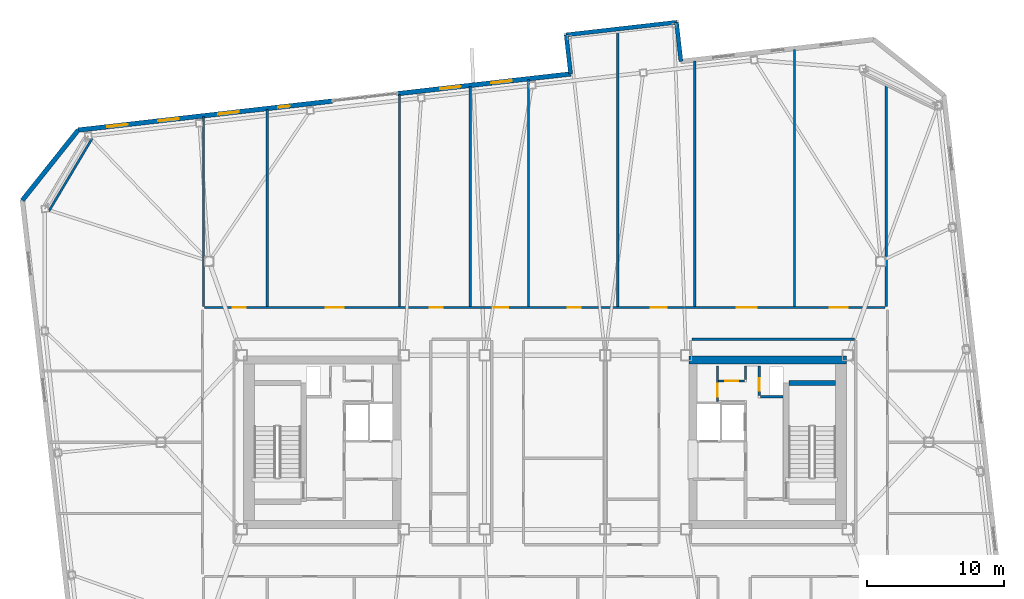
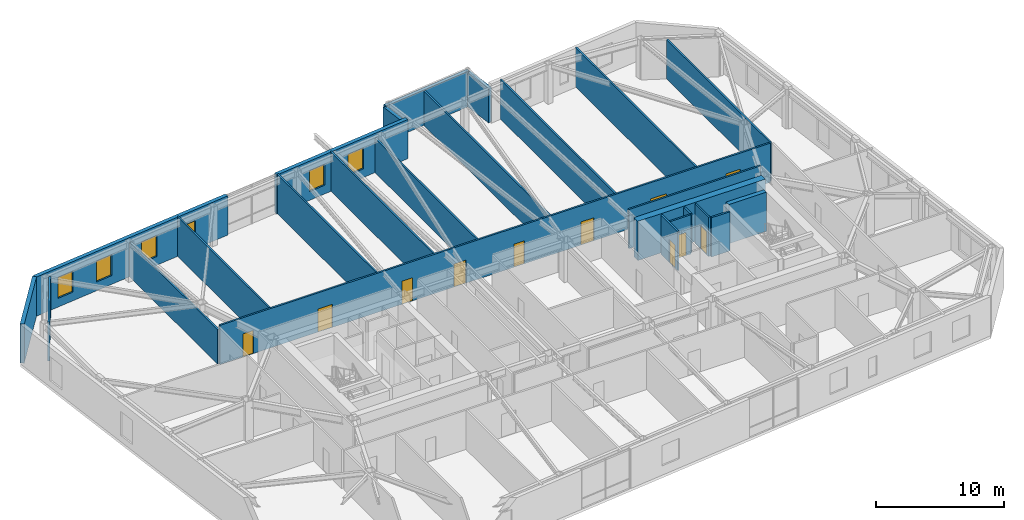
# One storey, part 17 of 21: 25 walls, 11 doors, 6 windows, 17 openings.
"""IFC4 building model written with IfcOpenShell, lengths in metres."""

from ifc_helpers import new_model, si_unit, direction, frame, frame_2d, origin, place, context, subcontext, project, spatial, rectangle, extrude, material, layer, layer_set, type_object, element, fill, save


model = new_model("IFC4")

# Units and contexts
model_context = context("Model", 3, precision=1e-05, world=origin(), true_north=direction((0.0, 1.0)))
body_context = subcontext(model_context, "Body", "Model", "MODEL_VIEW")
ifc_project = project(units=[si_unit("LENGTHUNIT", "METRE"), si_unit("AREAUNIT", "SQUARE_METRE"), si_unit("VOLUMEUNIT", "CUBIC_METRE"), si_unit("PLANEANGLEUNIT", "RADIAN"), si_unit("MASSUNIT", "GRAM", prefix="KILO")], contexts=[model_context])

# Site, building, storey
site_placement = place(None, origin())
site = spatial("IfcSite", under=ifc_project, at=site_placement, CompositionType="ELEMENT")
building_placement = place(site_placement, origin())
building = spatial("IfcBuilding", under=site, at=building_placement, Name="Tavrogorsk Clinical Tower", CompositionType="ELEMENT")
storey_placement = place(building_placement, frame((0.0, 0.0, 247.0)))
storey = spatial("IfcBuildingStorey", under=building, at=storey_placement, Name="L57", CompositionType="ELEMENT", Elevation=247.0)

# Wall, opening, door
ifc_material_1 = material(Name="Lightweight concrete blockwork B15", Category="masonry")
ifc_layer_1 = layer(ifc_material_1, 0.159912109375)
ifc_layer_set_1 = layer_set([ifc_layer_1], Name="Lightweight concrete blockwork B15")
wall_type_1 = type_object("IfcWallType", Name="PartitionWall_160", PredefinedType="PARTITIONING", material=ifc_layer_set_1)
wall_1_placement = place(storey_placement, frame((12.580078125, 2.9599609375, 0.0), z_axis=(0.0, 0.0, 1.0), x_axis=(0.0, 1.0, 0.0)))
wall_1 = element("IfcWall", 1, at=wall_1_placement, inside=storey, type_object=wall_type_1, Name="L57 Core East Linen Closet Wall", PredefinedType="PARTITIONING", context=body_context, shape_type="SweptSolid", body=[
    extrude(rectangle(XDim=2.60009765625, YDim=0.159912109375, at=frame_2d((1.300048828125, 0.0))), origin(), (0.0, 0.0, 1.0), 3.739990234375),
])
opening_1_placement = place(wall_1_placement, frame((0.35009765625, 0.0, 0.0)))
opening_1 = element("IfcOpeningElement", 2, at=opening_1_placement, cuts=wall_1, Name="Opening ID-02", PredefinedType="OPENING", context=body_context, shape_type="SweptSolid", body=[
    extrude(rectangle(XDim=0.949951171875, YDim=2.199951171875, at=frame_2d((0.47509765625, 1.10009765625))), frame((0.0, 0.08984375, 0.0), z_axis=(0.0, -1.0, 0.0), x_axis=(1.0, 0.0, 0.0)), (0.0, 0.0, 1.0), 0.179931640625),
])
ifc_material_2 = material(Name="Laminated timber leaf on aluminium frame", Category="wood")
door_type_1 = type_object("IfcDoorType", Name="InteriorDoor_ID02_950", OperationType="NOTDEFINED", PredefinedType="DOOR", material=ifc_material_2)
door_1_placement = place(opening_1_placement, origin())
door_1 = element("IfcDoor", 3, at=door_1_placement, inside=storey, type_object=door_type_1, Name="L57 Core East Linen Closet Door", OperationType="SINGLE_SWING_RIGHT", OverallHeight=2.199951171875, OverallWidth=0.949951171875, PredefinedType="DOOR", context=body_context, shape_type="SweptSolid", body=[
    extrude(rectangle(XDim=0.949951171875, YDim=2.199951171875, at=frame_2d((0.47509765625, 1.10009765625))), frame((0.0, 0.02490234375, 0.0), z_axis=(0.0, -1.0, 0.0), x_axis=(1.0, 0.0, 0.0)), (0.0, 0.0, 1.0), 0.050048828125),
])
fill(opening_1, door_1)

wall_2_placement = place(storey_placement, frame((12.6650390625, 4.47998046875, 0.0), z_axis=(0.0, 0.0, 1.0), x_axis=(1.0, 0.0, 0.0)))
wall_2 = element("IfcWall", 4, at=wall_2_placement, inside=storey, type_object=wall_type_1, Name="L57 Core East Housekeeping South Wall", PredefinedType="PARTITIONING", context=body_context, shape_type="SweptSolid", body=[
    extrude(rectangle(XDim=1.889892578125, YDim=0.159912109375, at=frame_2d((0.94482421875, 0.0))), origin(), (0.0, 0.0, 1.0), 3.739990234375),
])
opening_2_placement = place(wall_2_placement, frame((0.5, 0.0, 0.0)))
opening_2 = element("IfcOpeningElement", 5, at=opening_2_placement, cuts=wall_2, Name="Opening ID-02", PredefinedType="OPENING", context=body_context, shape_type="SweptSolid", body=[
    extrude(rectangle(XDim=0.949951171875, YDim=2.199951171875, at=frame_2d((0.47509765625, 1.10009765625))), frame((0.0, 0.08984375, 0.0), z_axis=(0.0, -1.0, 0.0), x_axis=(1.0, 0.0, 0.0)), (0.0, 0.0, 1.0), 0.179931640625),
])
door_2_placement = place(opening_2_placement, origin())
door_2 = element("IfcDoor", 6, at=door_2_placement, inside=storey, type_object=door_type_1, Name="L57 Core East Housekeeping Closet Door", OperationType="SINGLE_SWING_LEFT", OverallHeight=2.199951171875, OverallWidth=0.949951171875, PredefinedType="DOOR", context=body_context, shape_type="SweptSolid", body=[
    extrude(rectangle(XDim=0.949951171875, YDim=2.199951171875, at=frame_2d((0.47509765625, 1.10009765625))), frame((0.0, 0.02490234375, 0.0), z_axis=(0.0, -1.0, 0.0), x_axis=(1.0, 0.0, 0.0)), (0.0, 0.0, 1.0), 0.050048828125),
])
fill(opening_2, door_2)

# Walls
wall_3_placement = place(storey_placement, frame((14.639892578125, 4.56494140625, 0.0), z_axis=(0.0, 0.0, 1.0), x_axis=(0.0, 1.0, 0.0)))
element("IfcWall", 7, at=wall_3_placement, inside=storey, type_object=wall_type_1, Name="L57 Core East Housekeeping East Wall", PredefinedType="PARTITIONING", context=body_context, shape_type="SweptSolid", body=[
    extrude(rectangle(XDim=0.9951171875, YDim=0.159912109375, at=frame_2d((0.49755859375, 0.0))), origin(), (0.0, 0.0, 1.0), 3.739990234375),
])
wall_4_placement = place(storey_placement, frame((-33.016357421875, 22.17138671875, 0.0), z_axis=(0.0, 0.0, 1.0), x_axis=(-0.511385266265, -0.859351563359, 0.0)))
element("IfcWall", 8, at=wall_4_placement, inside=storey, type_object=wall_type_1, Name="L57 Corner Exoskeleton Brace Furring Wall 3", PredefinedType="PARTITIONING", context=body_context, shape_type="SweptSolid", body=[
    extrude(rectangle(XDim=6.181884765625, YDim=0.159912109375, at=frame_2d((3.0908203125, 0.0))), origin(), (0.0, 0.0, 1.0), 3.739990234375),
])

# Wall, openings, doors
wall_5_placement = place(storey_placement, frame((-24.81494140625, 9.830078125, 0.0), z_axis=(0.0, 0.0, 1.0), x_axis=(1.0, 0.0, 0.0)))
wall_5 = element("IfcWall", 9, at=wall_5_placement, inside=storey, type_object=wall_type_1, Name="L57 Corridor Partition 02", PredefinedType="PARTITIONING", context=body_context, shape_type="SweptSolid", body=[
    extrude(rectangle(XDim=49.6298828125, YDim=0.159912109375, at=frame_2d((24.81494140625, 0.0))), origin(), (0.0, 0.0, 1.0), 3.739990234375),
])
opening_3_placement = place(wall_5_placement, frame((2.044189453125, 0.0, 0.0)))
opening_3 = element("IfcOpeningElement", 10, at=opening_3_placement, cuts=wall_5, Name="Opening ID-02", PredefinedType="OPENING", context=body_context, shape_type="SweptSolid", body=[
    extrude(rectangle(XDim=0.949951171875, YDim=2.199951171875, at=frame_2d((0.47509765625, 1.10009765625))), frame((0.0, 0.08984375, 0.0), z_axis=(0.0, -1.0, 0.0), x_axis=(1.0, 0.0, 0.0)), (0.0, 0.0, 1.0), 0.179931640625),
])
opening_4_placement = place(wall_5_placement, frame((8.824951171875, 0.0, 0.0)))
opening_4 = element("IfcOpeningElement", 11, at=opening_4_placement, cuts=wall_5, Name="Opening ID-01", PredefinedType="OPENING", context=body_context, shape_type="SweptSolid", body=[
    extrude(rectangle(XDim=1.300048828125, YDim=2.199951171875, at=frame_2d((0.64990234375, 1.10009765625))), frame((0.0, 0.08984375, 0.0), z_axis=(0.0, -1.0, 0.0), x_axis=(1.0, 0.0, 0.0)), (0.0, 0.0, 1.0), 0.179931640625),
])
opening_5_placement = place(wall_5_placement, frame((16.39990234375, 0.0, 0.0)))
opening_5 = element("IfcOpeningElement", 12, at=opening_5_placement, cuts=wall_5, Name="Opening ID-02", PredefinedType="OPENING", context=body_context, shape_type="SweptSolid", body=[
    extrude(rectangle(XDim=0.949951171875, YDim=2.199951171875, at=frame_2d((0.47509765625, 1.10009765625))), frame((0.0, 0.08984375, 0.0), z_axis=(0.0, -1.0, 0.0), x_axis=(1.0, 0.0, 0.0)), (0.0, 0.0, 1.0), 0.179931640625),
])
opening_6_placement = place(wall_5_placement, frame((21.10009765625, 0.0, 0.0)))
opening_6 = element("IfcOpeningElement", 13, at=opening_6_placement, cuts=wall_5, Name="Opening ID-04", PredefinedType="OPENING", context=body_context, shape_type="SweptSolid", body=[
    extrude(rectangle(XDim=1.050048828125, YDim=2.199951171875, at=frame_2d((0.52490234375, 1.10009765625))), frame((0.0, 0.08984375, 0.0), z_axis=(0.0, -1.0, 0.0), x_axis=(1.0, 0.0, 0.0)), (0.0, 0.0, 1.0), 0.179931640625),
])
opening_7_placement = place(wall_5_placement, frame((26.482421875, 0.0, 0.0)))
opening_7 = element("IfcOpeningElement", 14, at=opening_7_placement, cuts=wall_5, Name="Opening ID-02", PredefinedType="OPENING", context=body_context, shape_type="SweptSolid", body=[
    extrude(rectangle(XDim=0.949951171875, YDim=2.199951171875, at=frame_2d((0.47509765625, 1.10009765625))), frame((0.0, 0.08984375, 0.0), z_axis=(0.0, -1.0, 0.0), x_axis=(1.0, 0.0, 0.0)), (0.0, 0.0, 1.0), 0.179931640625),
])
opening_8_placement = place(wall_5_placement, frame((32.547607421875, 0.0, 0.0)))
opening_8 = element("IfcOpeningElement", 15, at=opening_8_placement, cuts=wall_5, Name="Opening ID-06", PredefinedType="OPENING", context=body_context, shape_type="SweptSolid", body=[
    extrude(rectangle(XDim=1.14990234375, YDim=2.199951171875, at=frame_2d((0.574951171875, 1.10009765625))), frame((0.0, 0.08984375, 0.0), z_axis=(0.0, -1.0, 0.0), x_axis=(1.0, 0.0, 0.0)), (0.0, 0.0, 1.0), 0.179931640625),
])
opening_9_placement = place(wall_5_placement, frame((38.81494140625, 0.0, 0.0)))
opening_9 = element("IfcOpeningElement", 16, at=opening_9_placement, cuts=wall_5, Name="Opening ID-05", PredefinedType="OPENING", context=body_context, shape_type="SweptSolid", body=[
    extrude(rectangle(XDim=1.449951171875, YDim=2.199951171875, at=frame_2d((0.72509765625, 1.10009765625))), frame((0.0, 0.08984375, 0.0), z_axis=(0.0, -1.0, 0.0), x_axis=(1.0, 0.0, 0.0)), (0.0, 0.0, 1.0), 0.179931640625),
])
opening_10_placement = place(wall_5_placement, frame((45.60595703125, 0.0, 0.0)))
opening_10 = element("IfcOpeningElement", 17, at=opening_10_placement, cuts=wall_5, Name="Opening ID-01", PredefinedType="OPENING", context=body_context, shape_type="SweptSolid", body=[
    extrude(rectangle(XDim=1.300048828125, YDim=2.199951171875, at=frame_2d((0.64990234375, 1.10009765625))), frame((0.0, 0.08984375, 0.0), z_axis=(0.0, -1.0, 0.0), x_axis=(1.0, 0.0, 0.0)), (0.0, 0.0, 1.0), 0.179931640625),
])
ifc_material_3 = material(Name="Antibacterial HPL consultation door on aluminium frame", Category="aluminium")
door_type_2 = type_object("IfcDoorType", Name="ConsultDoor_ID04_1050", OperationType="NOTDEFINED", PredefinedType="DOOR", material=ifc_material_3)
door_3_placement = place(opening_6_placement, origin())
door_3 = element("IfcDoor", 18, at=door_3_placement, inside=storey, type_object=door_type_2, Name="L57 North Diagnostic Ultrasound Suite 03B Door", OperationType="SINGLE_SWING_RIGHT", OverallHeight=2.199951171875, OverallWidth=1.050048828125, PredefinedType="DOOR", context=body_context, shape_type="SweptSolid", body=[
    extrude(rectangle(XDim=1.050048828125, YDim=2.199951171875, at=frame_2d((0.52490234375, 1.10009765625))), frame((0.0, 0.02490234375, 0.0), z_axis=(0.0, -1.0, 0.0), x_axis=(1.0, 0.0, 0.0)), (0.0, 0.0, 1.0), 0.050048828125),
])
fill(opening_6, door_3)
ifc_material_4 = material(Name="Antibacterial HPL bariatric ward double door")
door_type_3 = type_object("IfcDoorType", Name="DoubleWardDoor_ID05_1450", OperationType="DOUBLE_SWING_LEFT", PredefinedType="DOOR", material=ifc_material_4)
door_4_placement = place(opening_9_placement, origin())
door_4 = element("IfcDoor", 19, at=door_4_placement, inside=storey, type_object=door_type_3, Name="L57 North Acute Isolation Suite 05 Door", OperationType="DOUBLE_SWING_LEFT", OverallHeight=2.199951171875, OverallWidth=1.449951171875, PredefinedType="DOOR", context=body_context, shape_type="SweptSolid", body=[
    extrude(rectangle(XDim=1.449951171875, YDim=2.199951171875, at=frame_2d((0.72509765625, 1.10009765625))), frame((0.0, 0.02490234375, 0.0), z_axis=(0.0, -1.0, 0.0), x_axis=(1.0, 0.0, 0.0)), (0.0, 0.0, 1.0), 0.050048828125),
])
fill(opening_9, door_4)
door_5_placement = place(opening_3_placement, origin())
door_5 = element("IfcDoor", 20, at=door_5_placement, inside=storey, type_object=door_type_1, Name="L57 North Physiotherapy Rehab Studio 01 Door", OperationType="SINGLE_SWING_LEFT", OverallHeight=2.199951171875, OverallWidth=0.949951171875, PredefinedType="DOOR", context=body_context, shape_type="SweptSolid", body=[
    extrude(rectangle(XDim=0.949951171875, YDim=2.199951171875, at=frame_2d((0.47509765625, 1.10009765625))), frame((0.0, 0.02490234375, 0.0), z_axis=(0.0, -1.0, 0.0), x_axis=(1.0, 0.0, 0.0)), (0.0, 0.0, 1.0), 0.050048828125),
])
fill(opening_3, door_5)
door_6_placement = place(opening_5_placement, origin())
door_6 = element("IfcDoor", 21, at=door_6_placement, inside=storey, type_object=door_type_1, Name="L57 North Physician Consultation Office 03A Door", OperationType="SINGLE_SWING_LEFT", OverallHeight=2.199951171875, OverallWidth=0.949951171875, PredefinedType="DOOR", context=body_context, shape_type="SweptSolid", body=[
    extrude(rectangle(XDim=0.949951171875, YDim=2.199951171875, at=frame_2d((0.47509765625, 1.10009765625))), frame((0.0, 0.02490234375, 0.0), z_axis=(0.0, -1.0, 0.0), x_axis=(1.0, 0.0, 0.0)), (0.0, 0.0, 1.0), 0.050048828125),
])
fill(opening_5, door_6)
door_7_placement = place(opening_7_placement, origin())
door_7 = element("IfcDoor", 22, at=door_7_placement, inside=storey, type_object=door_type_1, Name="L57 North Patient & Family Quiet Lounge 04A Door", OperationType="SINGLE_SWING_LEFT", OverallHeight=2.199951171875, OverallWidth=0.949951171875, PredefinedType="DOOR", context=body_context, shape_type="SweptSolid", body=[
    extrude(rectangle(XDim=0.949951171875, YDim=2.199951171875, at=frame_2d((0.47509765625, 1.10009765625))), frame((0.0, 0.02490234375, 0.0), z_axis=(0.0, -1.0, 0.0), x_axis=(1.0, 0.0, 0.0)), (0.0, 0.0, 1.0), 0.050048828125),
])
fill(opening_7, door_7)
ifc_material_5 = material(Name="Antibacterial HPL procedure door on aluminium frame", Category="aluminium")
door_type_4 = type_object("IfcDoorType", Name="LabDoor_ID06_1150", OperationType="NOTDEFINED", PredefinedType="DOOR", material=ifc_material_5)
door_8_placement = place(opening_8_placement, origin())
door_8 = element("IfcDoor", 23, at=door_8_placement, inside=storey, type_object=door_type_4, Name="L57 North Physiotherapy Rehab Studio 04B Door", OperationType="SINGLE_SWING_RIGHT", OverallHeight=2.199951171875, OverallWidth=1.14990234375, PredefinedType="DOOR", context=body_context, shape_type="SweptSolid", body=[
    extrude(rectangle(XDim=1.14990234375, YDim=2.199951171875, at=frame_2d((0.574951171875, 1.10009765625))), frame((0.0, 0.02490234375, 0.0), z_axis=(0.0, -1.0, 0.0), x_axis=(1.0, 0.0, 0.0)), (0.0, 0.0, 1.0), 0.050048828125),
])
fill(opening_8, door_8)
ifc_material_6 = material(Name="Antibacterial HPL medical leaf on aluminium frame", Category="aluminium")
door_type_5 = type_object("IfcDoorType", Name="WardBedDoor_ID01_1300", OperationType="NOTDEFINED", PredefinedType="DOOR", material=ifc_material_6)
door_9_placement = place(opening_4_placement, origin())
door_9 = element("IfcDoor", 24, at=door_9_placement, inside=storey, type_object=door_type_5, Name="L57 North Step-Down Telemetry Ward 02 Door", OperationType="SINGLE_SWING_RIGHT", OverallHeight=2.199951171875, OverallWidth=1.300048828125, PredefinedType="DOOR", context=body_context, shape_type="SweptSolid", body=[
    extrude(rectangle(XDim=1.300048828125, YDim=2.199951171875, at=frame_2d((0.64990234375, 1.10009765625))), frame((0.0, 0.02490234375, 0.0), z_axis=(0.0, -1.0, 0.0), x_axis=(1.0, 0.0, 0.0)), (0.0, 0.0, 1.0), 0.050048828125),
])
fill(opening_4, door_9)
door_10_placement = place(opening_10_placement, origin())
door_10 = element("IfcDoor", 25, at=door_10_placement, inside=storey, type_object=door_type_5, Name="L57 North Sub-Acute Recovery Ward 06 Door", OperationType="SINGLE_SWING_RIGHT", OverallHeight=2.199951171875, OverallWidth=1.300048828125, PredefinedType="DOOR", context=body_context, shape_type="SweptSolid", body=[
    extrude(rectangle(XDim=1.300048828125, YDim=2.199951171875, at=frame_2d((0.64990234375, 1.10009765625))), frame((0.0, 0.02490234375, 0.0), z_axis=(0.0, -1.0, 0.0), x_axis=(1.0, 0.0, 0.0)), (0.0, 0.0, 1.0), 0.050048828125),
])
fill(opening_10, door_10)

# Walls
wall_6_placement = place(storey_placement, frame((22.5849609375, 7.52001953125, 0.0), z_axis=(0.0, 0.0, 1.0), x_axis=(-1.0, 0.0, 0.0)))
element("IfcWall", 26, at=wall_6_placement, inside=storey, type_object=wall_type_1, Name="L57 Corridor Partition 09", PredefinedType="PARTITIONING", context=body_context, shape_type="SweptSolid", body=[
    extrude(rectangle(XDim=11.869873046875, YDim=0.159912109375, at=frame_2d((5.93505859375, 0.0))), origin(), (0.0, 0.0, 1.0), 3.739990234375),
])
wall_7_placement = place(storey_placement, frame((-24.89990234375, 9.9150390625, 0.0), z_axis=(0.0, 0.0, 1.0), x_axis=(0.0, 1.0, 0.0)))
element("IfcWall", 27, at=wall_7_placement, inside=storey, type_object=wall_type_1, Name="L57 NW Wing Closure Partition", PredefinedType="PARTITIONING", context=body_context, shape_type="SweptSolid", body=[
    extrude(rectangle(XDim=13.831298828125, YDim=0.159912109375, at=frame_2d((6.91552734375, 0.0))), origin(), (0.0, 0.0, 1.0), 3.284912109375),
])
wall_8_placement = place(storey_placement, frame((24.89990234375, 9.9150390625, 0.0), z_axis=(0.0, 0.0, 1.0), x_axis=(0.0, 1.0, 0.0)))
element("IfcWall", 28, at=wall_8_placement, inside=storey, type_object=wall_type_1, Name="L57 NE Wing Closure Partition", PredefinedType="PARTITIONING", context=body_context, shape_type="SweptSolid", body=[
    extrude(rectangle(XDim=16.12939453125, YDim=0.159912109375, at=frame_2d((8.064697265625, 0.0))), origin(), (0.0, 0.0, 1.0), 3.739990234375),
])
wall_9_placement = place(storey_placement, frame((-20.25, 9.9150390625, 0.0), z_axis=(0.0, 0.0, 1.0), x_axis=(0.0, 1.0, 0.0)))
element("IfcWall", 29, at=wall_9_placement, inside=storey, type_object=wall_type_1, Name="L57 North Room Partition 1", PredefinedType="PARTITIONING", context=body_context, shape_type="SweptSolid", body=[
    extrude(rectangle(XDim=14.361083984375, YDim=0.159912109375, at=frame_2d((7.1806640625, 0.0))), origin(), (0.0, 0.0, 1.0), 3.739990234375),
])
wall_10_placement = place(storey_placement, frame((-10.60009765625, 9.9150390625, 0.0), z_axis=(0.0, 0.0, 1.0), x_axis=(0.0, 1.0, 0.0)))
element("IfcWall", 30, at=wall_10_placement, inside=storey, type_object=wall_type_1, Name="L57 North Room Partition 2", PredefinedType="PARTITIONING", context=body_context, shape_type="SweptSolid", body=[
    extrude(rectangle(XDim=15.46044921875, YDim=0.159912109375, at=frame_2d((7.730224609375, 0.0))), origin(), (0.0, 0.0, 1.0), 3.739990234375),
])
wall_11_placement = place(storey_placement, frame((-1.199951171875, 9.9150390625, 0.0), z_axis=(0.0, 0.0, 1.0), x_axis=(0.0, 1.0, 0.0)))
element("IfcWall", 31, at=wall_11_placement, inside=storey, type_object=wall_type_1, Name="L57 North Room Partition 3", PredefinedType="PARTITIONING", context=body_context, shape_type="SweptSolid", body=[
    extrude(rectangle(XDim=16.531494140625, YDim=0.159912109375, at=frame_2d((8.265625, 0.0))), origin(), (0.0, 0.0, 1.0), 3.284912109375),
])
wall_12_placement = place(storey_placement, frame((10.929931640625, 9.9150390625, 0.0), z_axis=(0.0, 0.0, 1.0), x_axis=(0.0, 1.0, 0.0)))
element("IfcWall", 32, at=wall_12_placement, inside=storey, type_object=wall_type_1, Name="L57 North Room Partition 4", PredefinedType="PARTITIONING", context=body_context, shape_type="SweptSolid", body=[
    extrude(rectangle(XDim=17.91357421875, YDim=0.159912109375, at=frame_2d((8.956787109375, 0.0))), origin(), (0.0, 0.0, 1.0), 3.739990234375),
])
wall_13_placement = place(storey_placement, frame((18.199951171875, 9.9150390625, 0.0), z_axis=(0.0, 0.0, 1.0), x_axis=(0.0, 1.0, 0.0)))
element("IfcWall", 33, at=wall_13_placement, inside=storey, type_object=wall_type_1, Name="L57 North Room Partition 5", PredefinedType="PARTITIONING", context=body_context, shape_type="SweptSolid", body=[
    extrude(rectangle(XDim=18.741943359375, YDim=0.159912109375, at=frame_2d((9.37109375, 0.0))), origin(), (0.0, 0.0, 1.0), 3.739990234375),
])
wall_14_placement = place(storey_placement, frame((-5.449951171875, 9.9150390625, 0.0), z_axis=(0.0, 0.0, 1.0), x_axis=(0.0, 1.0, 0.0)))
element("IfcWall", 34, at=wall_14_placement, inside=storey, type_object=wall_type_1, Name="L57 North Sub-Partition 3", PredefinedType="PARTITIONING", context=body_context, shape_type="SweptSolid", body=[
    extrude(rectangle(XDim=16.04736328125, YDim=0.159912109375, at=frame_2d((8.023681640625, 0.0))), origin(), (0.0, 0.0, 1.0), 3.739990234375),
])
wall_15_placement = place(storey_placement, frame((5.31494140625, 9.9150390625, 0.0), z_axis=(0.0, 0.0, 1.0), x_axis=(0.0, 1.0, 0.0)))
element("IfcWall", 35, at=wall_15_placement, inside=storey, type_object=wall_type_1, Name="L57 North Sub-Partition 4", PredefinedType="PARTITIONING", context=body_context, shape_type="SweptSolid", body=[
    extrude(rectangle(XDim=20.142333984375, YDim=0.159912109375, at=frame_2d((10.0712890625, 0.0))), origin(), (0.0, 0.0, 1.0), 3.284912109375),
])

# Wall, openings, windows
ifc_material_7 = material(Name="Precast concrete B45 with limestone cladding", Category="masonry")
ifc_layer_2 = layer(ifc_material_7, 0.340087890625)
ifc_layer_set_2 = layer_set([ifc_layer_2], Name="Precast concrete B45 with limestone cladding")
wall_type_2 = type_object("IfcWallType", Name="PrecastLimestoneWall_340", PredefinedType="STANDARD", material=ifc_layer_set_2)
wall_16_placement = place(storey_placement, frame((1.87548828125, 26.867431640625, 0.0), z_axis=(0.0, 0.0, 1.0), x_axis=(-0.993572024997, -0.113201727649, 0.0)))
wall_16 = element("IfcWall", 36, at=wall_16_placement, inside=storey, type_object=wall_type_2, Name="L57 N Limestone Facade Wall 2", PredefinedType="STANDARD", context=body_context, shape_type="SweptSolid", body=[
    extrude(rectangle(XDim=12.698486328125, YDim=0.340087890625, at=frame_2d((6.34912109375, 0.0))), origin(), (0.0, 0.0, 1.0), 3.739990234375),
])
opening_11_placement = place(wall_16_placement, frame((8.07421875, 0.0, 0.830078125)))
opening_11 = element("IfcOpeningElement", 37, at=opening_11_placement, cuts=wall_16, Name="Opening WN-05", PredefinedType="OPENING", context=body_context, shape_type="SweptSolid", body=[
    extrude(rectangle(XDim=1.5, YDim=2.0, at=frame_2d((0.75, 1.0))), frame((0.0, 0.179931640625, 0.0), z_axis=(0.0, -1.0, 0.0), x_axis=(1.0, 0.0, 0.0)), (0.0, 0.0, 1.0), 0.360107421875),
])
opening_12_placement = place(wall_16_placement, frame((4.32568359375, 0.0, 0.830078125)))
opening_12 = element("IfcOpeningElement", 38, at=opening_12_placement, cuts=wall_16, Name="Opening WN-05", PredefinedType="OPENING", context=body_context, shape_type="SweptSolid", body=[
    extrude(rectangle(XDim=1.5, YDim=2.0, at=frame_2d((0.75, 1.0))), frame((0.0, 0.179931640625, 0.0), z_axis=(0.0, -1.0, 0.0), x_axis=(1.0, 0.0, 0.0)), (0.0, 0.0, 1.0), 0.360107421875),
])
ifc_material_8 = material(Name="Thermally broken aluminium frame and triple IGU", Category="aluminium")
window_type_1 = type_object("IfcWindowType", Name="ConsultWin_1500x2000", PartitioningType="SINGLE_PANEL", PredefinedType="WINDOW", material=ifc_material_8)
window_1_placement = place(opening_11_placement, origin())
window_1 = element("IfcWindow", 39, at=window_1_placement, inside=storey, type_object=window_type_1, Name="L57 N Chicago Window 05", OverallHeight=2.0, OverallWidth=1.5, PartitioningType="SINGLE_PANEL", PredefinedType="WINDOW", context=body_context, shape_type="SweptSolid", body=[
    extrude(rectangle(XDim=1.5, YDim=2.0, at=frame_2d((0.75, 1.0))), frame((0.0, 0.030029296875, 0.0), z_axis=(0.0, -1.0, 0.0), x_axis=(1.0, 0.0, 0.0)), (0.0, 0.0, 1.0), 0.06005859375),
])
fill(opening_11, window_1)
window_2_placement = place(opening_12_placement, origin())
window_2 = element("IfcWindow", 40, at=window_2_placement, inside=storey, type_object=window_type_1, Name="L57 N Chicago Window 06", OverallHeight=2.0, OverallWidth=1.5, PartitioningType="SINGLE_PANEL", PredefinedType="WINDOW", context=body_context, shape_type="SweptSolid", body=[
    extrude(rectangle(XDim=1.5, YDim=2.0, at=frame_2d((0.75, 1.0))), frame((0.0, 0.030029296875, 0.0), z_axis=(0.0, -1.0, 0.0), x_axis=(1.0, 0.0, 0.0)), (0.0, 0.0, 1.0), 0.06005859375),
])
fill(opening_12, window_2)

wall_17_placement = place(storey_placement, frame((-15.510498046875, 24.886474609375, 0.0), z_axis=(0.0, 0.0, 1.0), x_axis=(-0.993572271362, -0.113199565282, 0.0)))
wall_17 = element("IfcWall", 41, at=wall_17_placement, inside=storey, type_object=wall_type_2, Name="L57 N Limestone Facade Wall 3", PredefinedType="STANDARD", context=body_context, shape_type="SweptSolid", body=[
    extrude(rectangle(XDim=18.6513671875, YDim=0.340087890625, at=frame_2d((9.32568359375, 0.0))), origin(), (0.0, 0.0, 1.0), 3.739990234375),
])
opening_13_placement = place(wall_17_placement, frame((15.021240234375, 0.0, 0.830078125)))
opening_13 = element("IfcOpeningElement", 42, at=opening_13_placement, cuts=wall_17, Name="Opening WN-05", PredefinedType="OPENING", context=body_context, shape_type="SweptSolid", body=[
    extrude(rectangle(XDim=1.5, YDim=2.0, at=frame_2d((0.75, 1.0))), frame((0.0, 0.179931640625, 0.0), z_axis=(0.0, -1.0, 0.0), x_axis=(1.0, 0.0, 0.0)), (0.0, 0.0, 1.0), 0.360107421875),
])
opening_14_placement = place(wall_17_placement, frame((11.27294921875, 0.0, 0.830078125)))
opening_14 = element("IfcOpeningElement", 43, at=opening_14_placement, cuts=wall_17, Name="Opening WN-05", PredefinedType="OPENING", context=body_context, shape_type="SweptSolid", body=[
    extrude(rectangle(XDim=1.5, YDim=2.0, at=frame_2d((0.75, 1.0))), frame((0.0, 0.179931640625, 0.0), z_axis=(0.0, -1.0, 0.0), x_axis=(1.0, 0.0, 0.0)), (0.0, 0.0, 1.0), 0.360107421875),
])
opening_15_placement = place(wall_17_placement, frame((6.872802734375, 0.0, 0.830078125)))
opening_15 = element("IfcOpeningElement", 44, at=opening_15_placement, cuts=wall_17, Name="Opening WN-05", PredefinedType="OPENING", context=body_context, shape_type="SweptSolid", body=[
    extrude(rectangle(XDim=1.5, YDim=2.0, at=frame_2d((0.75, 1.0))), frame((0.0, 0.179931640625, 0.0), z_axis=(0.0, -1.0, 0.0), x_axis=(1.0, 0.0, 0.0)), (0.0, 0.0, 1.0), 0.360107421875),
])
opening_16_placement = place(wall_17_placement, frame((3.12451171875, 0.0, 0.830078125)))
opening_16 = element("IfcOpeningElement", 45, at=opening_16_placement, cuts=wall_17, Name="Opening WN-06", PredefinedType="OPENING", context=body_context, shape_type="SweptSolid", body=[
    extrude(rectangle(XDim=0.85009765625, YDim=1.85009765625, at=frame_2d((0.425048828125, 0.925048828125))), frame((0.0, 0.179931640625, 0.0), z_axis=(0.0, -1.0, 0.0), x_axis=(1.0, 0.0, 0.0)), (0.0, 0.0, 1.0), 0.360107421875),
])
window_3_placement = place(opening_13_placement, origin())
window_3 = element("IfcWindow", 46, at=window_3_placement, inside=storey, type_object=window_type_1, Name="L57 N Chicago Window 01", OverallHeight=2.0, OverallWidth=1.5, PartitioningType="SINGLE_PANEL", PredefinedType="WINDOW", context=body_context, shape_type="SweptSolid", body=[
    extrude(rectangle(XDim=1.5, YDim=2.0, at=frame_2d((0.75, 1.0))), frame((0.0, 0.030029296875, 0.0), z_axis=(0.0, -1.0, 0.0), x_axis=(1.0, 0.0, 0.0)), (0.0, 0.0, 1.0), 0.06005859375),
])
fill(opening_13, window_3)
window_4_placement = place(opening_14_placement, origin())
window_4 = element("IfcWindow", 47, at=window_4_placement, inside=storey, type_object=window_type_1, Name="L57 N Chicago Window 02", OverallHeight=2.0, OverallWidth=1.5, PartitioningType="SINGLE_PANEL", PredefinedType="WINDOW", context=body_context, shape_type="SweptSolid", body=[
    extrude(rectangle(XDim=1.5, YDim=2.0, at=frame_2d((0.75, 1.0))), frame((0.0, 0.030029296875, 0.0), z_axis=(0.0, -1.0, 0.0), x_axis=(1.0, 0.0, 0.0)), (0.0, 0.0, 1.0), 0.06005859375),
])
fill(opening_14, window_4)
window_5_placement = place(opening_15_placement, origin())
window_5 = element("IfcWindow", 48, at=window_5_placement, inside=storey, type_object=window_type_1, Name="L57 N Chicago Window 03", OverallHeight=2.0, OverallWidth=1.5, PartitioningType="SINGLE_PANEL", PredefinedType="WINDOW", context=body_context, shape_type="SweptSolid", body=[
    extrude(rectangle(XDim=1.5, YDim=2.0, at=frame_2d((0.75, 1.0))), frame((0.0, 0.030029296875, 0.0), z_axis=(0.0, -1.0, 0.0), x_axis=(1.0, 0.0, 0.0)), (0.0, 0.0, 1.0), 0.06005859375),
])
fill(opening_15, window_5)
ifc_material_9 = material(Name="Thermally broken aluminium frame and triple IGU", Category="aluminium")
window_type_2 = type_object("IfcWindowType", Name="MullionSubWin_850x1850", PartitioningType="SINGLE_PANEL", PredefinedType="WINDOW", material=ifc_material_9)
window_6_placement = place(opening_16_placement, origin())
window_6 = element("IfcWindow", 49, at=window_6_placement, inside=storey, type_object=window_type_2, Name="L57 N Mullion Split Window 04A", OverallHeight=1.85009765625, OverallWidth=0.85009765625, PartitioningType="SINGLE_PANEL", PredefinedType="WINDOW", context=body_context, shape_type="SweptSolid", body=[
    extrude(rectangle(XDim=0.85009765625, YDim=1.85009765625, at=frame_2d((0.425048828125, 0.925048828125))), frame((0.0, 0.030029296875, 0.0), z_axis=(0.0, -1.0, 0.0), x_axis=(1.0, 0.0, 0.0)), (0.0, 0.0, 1.0), 0.06005859375),
])
fill(opening_16, window_6)

# Walls
wall_18_placement = place(storey_placement, frame((-34.0419921875, 22.775146484375, 0.0), z_axis=(0.0, 0.0, 1.0), x_axis=(-0.62252823689, -0.78259733853, 0.0)))
element("IfcWall", 50, at=wall_18_placement, inside=storey, type_object=wall_type_2, Name="L57 Chamfered Corner Wall 3", PredefinedType="STANDARD", context=body_context, shape_type="SweptSolid", body=[
    extrude(rectangle(XDim=6.5478515625, YDim=0.340087890625, at=frame_2d((3.27392578125, 0.0))), origin(), (0.0, 0.0, 1.0), 3.739990234375),
])
wall_19_placement = place(storey_placement, frame((1.55078125, 29.718994140625, 0.0), z_axis=(0.0, 0.0, 1.0), x_axis=(0.993571087422, 0.113209956448, 0.0)))
element("IfcWall", 51, at=wall_19_placement, inside=storey, type_object=wall_type_2, Name="L57 Day-Room Limestone Front DRB-08", PredefinedType="STANDARD", context=body_context, shape_type="SweptSolid", body=[
    extrude(rectangle(XDim=8.099853515625, YDim=0.300048828125, at=frame_2d((4.0498046875, 0.0))), origin(), (0.0, 0.0, 1.0), 3.385009765625),
])

# Wall, opening, door
ifc_material_10 = material(Name="Lightweight concrete blockwork B25", Category="masonry")
ifc_layer_3 = layer(ifc_material_10, 0.159912109375)
ifc_layer_set_3 = layer_set([ifc_layer_3], Name="Lightweight concrete blockwork B25")
wall_type_3 = type_object("IfcWallType", Name="ShaftWall_160", PredefinedType="PARTITIONING", material=ifc_layer_set_3)
wall_20_placement = place(storey_placement, frame((15.639892578125, 3.405029296875, 0.0), z_axis=(0.0, 0.0, 1.0), x_axis=(0.0, 1.0, 0.0)))
wall_20 = element("IfcWall", 52, at=wall_20_placement, inside=storey, type_object=wall_type_3, Name="L57 Core East Riser West Wall", PredefinedType="PARTITIONING", context=body_context, shape_type="SweptSolid", body=[
    extrude(rectangle(XDim=2.155029296875, YDim=0.159912109375, at=frame_2d((1.07763671875, 0.0))), origin(), (0.0, 0.0, 1.0), 3.739990234375),
])
opening_17_placement = place(wall_20_placement, frame((0.35009765625, 0.0, 0.0)))
opening_17 = element("IfcOpeningElement", 53, at=opening_17_placement, cuts=wall_20, Name="Opening FD-02", PredefinedType="OPENING", context=body_context, shape_type="SweptSolid", body=[
    extrude(rectangle(XDim=0.89990234375, YDim=2.199951171875, at=frame_2d((0.449951171875, 1.10009765625))), frame((0.0, 0.08984375, 0.0), z_axis=(0.0, -1.0, 0.0), x_axis=(1.0, 0.0, 0.0)), (0.0, 0.0, 1.0), 0.179931640625),
])
ifc_material_11 = material(Name="Galvanised steel fire-rated door assembly", Category="steel")
door_type_6 = type_object("IfcDoorType", Name="FireDoor_FD02_900", OperationType="NOTDEFINED", PredefinedType="DOOR", material=ifc_material_11)
door_11_placement = place(opening_17_placement, origin())
door_11 = element("IfcDoor", 54, at=door_11_placement, inside=storey, type_object=door_type_6, Name="L57 Core East Electrical Riser Access Door", OperationType="SINGLE_SWING_LEFT", OverallHeight=2.199951171875, OverallWidth=0.89990234375, PredefinedType="DOOR", context=body_context, shape_type="SweptSolid", body=[
    extrude(rectangle(XDim=0.89990234375, YDim=2.199951171875, at=frame_2d((0.449951171875, 1.10009765625))), frame((0.0, 0.02490234375, 0.0), z_axis=(0.0, -1.0, 0.0), x_axis=(1.0, 0.0, 0.0)), (0.0, 0.0, 1.0), 0.050048828125),
])
fill(opening_17, door_11)

# Walls
wall_21_placement = place(storey_placement, frame((15.72509765625, 3.320068359375, 0.0), z_axis=(0.0, 0.0, 1.0), x_axis=(1.0, 0.0, 0.0)))
element("IfcWall", 55, at=wall_21_placement, inside=storey, type_object=wall_type_3, Name="L57 Core East Riser South Wall", PredefinedType="PARTITIONING", context=body_context, shape_type="SweptSolid", body=[
    extrude(rectangle(XDim=1.65478515625, YDim=0.159912109375, at=frame_2d((0.827392578125, 0.0))), origin(), (0.0, 0.0, 1.0), 3.739990234375),
])
ifc_material_12 = material(Name="Concrete B80", Category="concrete")
ifc_layer_4 = layer(ifc_material_12, 0.39990234375)
ifc_layer_set_4 = layer_set([ifc_layer_4], Name="Concrete B80")
wall_type_4 = type_object("IfcWallType", Name="ShearWall_400", PredefinedType="SHEAR", material=ifc_layer_set_4)
wall_22_placement = place(storey_placement, frame((17.800048828125, 4.324951171875, 0.0), z_axis=(0.0, 0.0, 1.0), x_axis=(1.0, 0.0, 0.0)))
element("IfcWall", 56, at=wall_22_placement, inside=storey, type_object=wall_type_4, Name="L57 Core East Stair Shaft North Shear Wall", PredefinedType="SHEAR", context=body_context, shape_type="SweptSolid", body=[
    extrude(rectangle(XDim=3.39990234375, YDim=0.39990234375, at=frame_2d((1.699951171875, 0.0))), origin(), (0.0, 0.0, 1.0), 3.739990234375),
])
ifc_material_13 = material(Name="Concrete B80", Category="concrete")
ifc_layer_5 = layer(ifc_material_13, 0.60009765625)
ifc_layer_set_5 = layer_set([ifc_layer_5], Name="Concrete B80")
wall_type_5 = type_object("IfcWallType", Name="ShearWall_600", PredefinedType="SHEAR", material=ifc_layer_set_5)
wall_23_placement = place(storey_placement, frame((10.5, 6.0, 0.0), z_axis=(0.0, 0.0, 1.0), x_axis=(1.0, 0.0, 0.0)))
element("IfcWall", 57, at=wall_23_placement, inside=storey, type_object=wall_type_5, Name="L57 Core East North Shear Wall", PredefinedType="SHEAR", context=body_context, shape_type="SweptSolid", body=[
    extrude(rectangle(XDim=11.5, YDim=0.60009765625, at=frame_2d((5.75, 0.0))), origin(), (0.0, 0.0, 1.0), 3.739990234375),
])
ifc_material_14 = material(Name="Precast concrete B45 with mineral wool", Category="concrete")
ifc_layer_6 = layer(ifc_material_14, 0.300048828125)
ifc_layer_set_6 = layer_set([ifc_layer_6], Name="Precast concrete B45 with mineral wool")
wall_type_6 = type_object("IfcWallType", Name="SpandrelBackWall_300", PredefinedType="STANDARD", material=ifc_layer_set_6)
for number, where, z_axis, x_axis, name in (
    (58, (1.875732421875, 26.867431640625, 0.0), (0.0, 0.0, 1.0), (-0.113222704107, 0.993569634839, 0.0), "L57 Day-Room Cheek Wall DRB-08-L"),
    (59, (9.923583984375, 27.784423828125, 0.0), (0.0, 0.0, 1.0), (-0.113222704107, 0.993569634839, 0.0), "L57 Day-Room Cheek Wall DRB-08-R"),
):
    element("IfcWall", number, at=place(storey_placement, frame(where, z_axis=z_axis, x_axis=x_axis)), inside=storey, type_object=wall_type_6, Name=name, PredefinedType="STANDARD", context=body_context, shape_type="SweptSolid", body=[
        extrude(rectangle(XDim=2.8701171875, YDim=0.300048828125, at=frame_2d((1.43505859375, 0.0))), origin(), (0.0, 0.0, 1.0), 3.284912109375),
    ])

save(model, "model.ifc")
